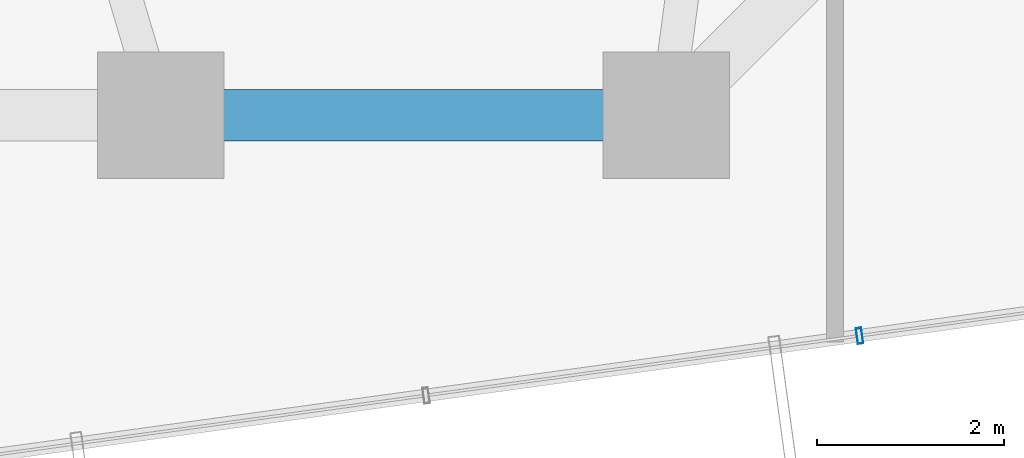
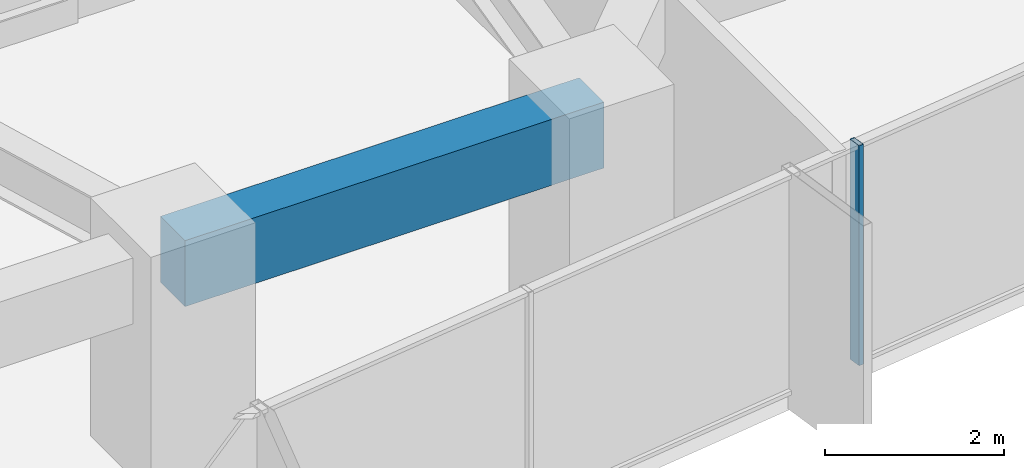
# One storey, part 8 of 37: 1 beam, 1 member, 1 element without a shape of its own.
"""IFC4 building model written with IfcOpenShell, lengths in metres."""

import ifcopenshell
import ifcopenshell.guid

model = None  # the IFC model being written
_history = None  # IfcOwnerHistory: only IFC2X3 demands one
_inside = {}  # id of a spatial element -> (the spatial element, [elements in it])
_under = {}  # id of a project, library or spatial element -> (it, [spatial elements below it])
_declared = {}  # id of a project -> (the project, [libraries it declares])
_typed = {}  # id of a type object -> (the type object, [elements of that type])
_made_of = {}  # id of a material, layer set ... -> (it, [elements and type objects made of it])


def new_model(schema):
    """Start an empty IFC model of exactly this schema.

    Asked for "IFC4X3", IfcOpenShell would pick the latest addendum, in which some entities
    have other attributes; the version numbers below select the first issue.
    IFC2X3 requires an IfcOwnerHistory on every rooted entity: one is made here for all.
    """
    global model, _history
    if schema == "IFC4X3":
        model = ifcopenshell.file(schema_version=(4, 3, 0, 0))
    else:
        model = ifcopenshell.file(schema=schema)
    _inside.clear()
    _under.clear()
    _declared.clear()
    _typed.clear()
    _made_of.clear()
    _history = None
    if model.schema == "IFC2X3":
        org = make("IfcOrganization", Name="unknown")
        user = make(
            "IfcPersonAndOrganization",
            ThePerson=make("IfcPerson", FamilyName="unknown"),
            TheOrganization=org,
        )
        app = make(
            "IfcApplication",
            ApplicationDeveloper=org,
            Version="unknown",
            ApplicationFullName="unknown",
            ApplicationIdentifier="unknown",
        )
        _history = make(
            "IfcOwnerHistory",
            OwningUser=user,
            OwningApplication=app,
            ChangeAction="ADDED",
            CreationDate=0,
        )
    return model


def make(cls, **values):
    """One entity of the class cls with the attributes given. An attribute that is None is left unset."""
    return model.create_entity(
        cls, **{name: value for name, value in values.items() if value is not None}
    )


def rooted(cls, **values):
    """An entity with a GlobalId (a new one), such as an element, a storey or a relation."""
    return make(cls, GlobalId=ifcopenshell.guid.new(), OwnerHistory=_history, **values)


def si_unit(unit_type, name, prefix=None):
    """IfcSIUnit, for example si_unit("LENGTHUNIT", "METRE", prefix="MILLI")."""
    return make("IfcSIUnit", UnitType=unit_type, Prefix=prefix, Name=name)


def assignment(units):
    """IfcUnitAssignment: the units of a project."""
    return None if units is None else make("IfcUnitAssignment", Units=units)


def point(xyz):
    """IfcCartesianPoint."""
    return None if xyz is None else make("IfcCartesianPoint", Coordinates=xyz)


def direction(xyz):
    """IfcDirection."""
    return None if xyz is None else make("IfcDirection", DirectionRatios=xyz)


def frame(location, z_axis=None, x_axis=None):
    """IfcAxis2Placement3D, a coordinate frame: its origin and axes. An axis left out is left unset."""
    return make(
        "IfcAxis2Placement3D",
        Location=point(location),
        Axis=direction(z_axis),
        RefDirection=direction(x_axis),
    )


def frame_2d(location, x_axis=None):
    """IfcAxis2Placement2D, a coordinate frame in the plane: its origin and x axis."""
    return make(
        "IfcAxis2Placement2D", Location=point(location), RefDirection=direction(x_axis)
    )


def origin():
    """The frame at (0, 0, 0) with its axes left unset."""
    return frame((0.0, 0.0, 0.0))


def origin_2d():
    """The frame at (0, 0) in the plane with its x axis left unset."""
    return frame_2d((0.0, 0.0))


def place(relative_to, where):
    """IfcLocalPlacement: puts the frame where relative to a parent placement (None: the world)."""
    return make(
        "IfcLocalPlacement", PlacementRelTo=relative_to, RelativePlacement=where
    )


def context(
    kind, dimensions, precision=None, world=None, true_north=None, identifier=None
):
    """IfcGeometricRepresentationContext, for example the 3D "Model" context."""
    return make(
        "IfcGeometricRepresentationContext",
        ContextIdentifier=identifier,
        ContextType=kind,
        CoordinateSpaceDimension=dimensions,
        Precision=precision,
        WorldCoordinateSystem=world,
        TrueNorth=true_north,
    )


def subcontext(parent, identifier, kind, view, scale=None):
    """IfcGeometricRepresentationSubContext, for example "Body" below "Model"."""
    return make(
        "IfcGeometricRepresentationSubContext",
        ContextIdentifier=identifier,
        ContextType=kind,
        ParentContext=parent,
        TargetScale=scale,
        TargetView=view,
    )


def project(units=None, contexts=None):
    """IfcProject with its units and contexts."""
    return rooted(
        "IfcProject",
        Name="project",
        RepresentationContexts=contexts,
        UnitsInContext=assignment(units),
    )


def spatial(cls, under=None, at=None, **own):
    """A site, building, storey or space (cls), placed at a placement, below another one or the project."""
    s = rooted(cls, ObjectPlacement=at, **own)
    if under is not None:
        _under.setdefault(under.id(), (under, []))[1].append(s)
    return s


def profile(cls, at=None, kind="AREA", **sizes):
    """A parametric profile (cls). Its sizes go by their IFC names, for example OverallWidth=200.0."""
    return make(cls, ProfileType=kind, Position=at, **sizes)


def rectangle(**sizes):
    """IfcRectangleProfileDef."""
    return profile("IfcRectangleProfileDef", **sizes)


def hollow_rectangle(**sizes):
    """IfcRectangleHollowProfileDef."""
    return profile("IfcRectangleHollowProfileDef", **sizes)


def extrude(swept, where, along, depth):
    """IfcExtrudedAreaSolid: the profile swept, set in the frame where, extruded along a direction by depth."""
    return make(
        "IfcExtrudedAreaSolid",
        SweptArea=swept,
        Position=where,
        ExtrudedDirection=direction(along),
        Depth=depth,
    )


def shape(context_of_items, identifier, shape_type, items):
    """IfcShapeRepresentation: the items that make up one representation, for example the "Body"."""
    return make(
        "IfcShapeRepresentation",
        ContextOfItems=context_of_items,
        RepresentationIdentifier=identifier,
        RepresentationType=shape_type,
        Items=items,
    )


def source(mapping_origin, context_of_items, identifier, shape_type, items):
    """IfcRepresentationMap: a shape defined once, which mapped items show again and again."""
    return make(
        "IfcRepresentationMap",
        MappingOrigin=mapping_origin,
        MappedRepresentation=shape(context_of_items, identifier, shape_type, items),
    )


def transform(
    local_origin,
    x_axis=None,
    y_axis=None,
    z_axis=None,
    scale=None,
    scale2=None,
    scale3=None,
    uniform=True,
):
    """IfcCartesianTransformationOperator3D, or its non-uniform kind. x_axis, y_axis, z_axis: its Axis1, 2, 3."""
    if uniform:
        return make(
            "IfcCartesianTransformationOperator3D",
            Axis1=direction(x_axis),
            Axis2=direction(y_axis),
            LocalOrigin=point(local_origin),
            Scale=scale,
            Axis3=direction(z_axis),
        )
    return make(
        "IfcCartesianTransformationOperator3DnonUniform",
        Axis1=direction(x_axis),
        Axis2=direction(y_axis),
        LocalOrigin=point(local_origin),
        Scale=scale,
        Axis3=direction(z_axis),
        Scale2=scale2,
        Scale3=scale3,
    )


def mapped(mapping_source, mapping_target):
    """IfcMappedItem: shows the shape of a source again, moved by a transform."""
    return make(
        "IfcMappedItem", MappingSource=mapping_source, MappingTarget=mapping_target
    )


def material(Name=None, Category=None):
    """IfcMaterial."""
    return make("IfcMaterial", Name=Name, Category=Category)


def layer(
    of_material, thickness, ventilated=None, Name=None, Category=None, Priority=None
):
    """IfcMaterialLayer: one layer of a wall or slab, of a material (None: an air gap)."""
    return make(
        "IfcMaterialLayer",
        Material=of_material,
        LayerThickness=thickness,
        IsVentilated=ventilated,
        Name=Name,
        Category=Category,
        Priority=Priority,
    )


def layer_set(layers, Name=None):
    """IfcMaterialLayerSet."""
    return make("IfcMaterialLayerSet", MaterialLayers=layers, LayerSetName=Name)


def material_profile(
    of_material, cross_section, Name=None, Category=None, Priority=None
):
    """IfcMaterialProfile: a cross section and its material."""
    return make(
        "IfcMaterialProfile",
        Name=Name,
        Material=of_material,
        Profile=cross_section,
        Priority=Priority,
        Category=Category,
    )


def profile_set(profiles, Name=None, composite=None):
    """IfcMaterialProfileSet."""
    return make(
        "IfcMaterialProfileSet",
        Name=Name,
        MaterialProfiles=profiles,
        CompositeProfile=composite,
    )


def made_of(thing, what):
    """Note that an element or type object is made of a material, layer set ...; save() writes the relation."""
    if what is not None:
        _made_of.setdefault(what.id(), (what, []))[1].append(thing)
    return thing


def type_object(cls, material=None, **own):
    """A type object (cls), such as IfcWallType, which elements share."""
    return made_of(rooted(cls, **own), material)


def element(
    cls,
    number,
    at=None,
    inside=None,
    cuts=None,
    type_object=None,
    material=None,
    context=None,
    identifier="Body",
    shape_type=None,
    held_by="IfcProductDefinitionShape",
    body=None,
    shapes=None,
    **own,
):
    """One element of the class cls, such as IfcWall. Its Tag is "e" and its number.

    at: its placement. inside: the storey or other place that contains it. cuts: it is an
    opening in that element (IfcRelVoidsElement). A single representation is given by context,
    identifier, shape_type and body (its items); several are given by shapes. held_by: the class
    of the entity that holds the representations. save() writes the other relations.
    """
    e = rooted(cls, Tag="e%d" % number, ObjectPlacement=at, **own)
    if body is not None:
        shapes = [shape(context, identifier, shape_type, body)]
    if shapes is not None:
        e.Representation = make(held_by, Representations=shapes)
    if inside is not None:
        _inside.setdefault(inside.id(), (inside, []))[1].append(e)
    if cuts is not None:
        rooted(
            "IfcRelVoidsElement", RelatingBuildingElement=cuts, RelatedOpeningElement=e
        )
    if type_object is not None:
        _typed.setdefault(type_object.id(), (type_object, []))[1].append(e)
    return made_of(e, material)


def aggregate(whole, parts):
    """IfcRelAggregates: a whole, such as a stair, and the parts it consists of."""
    return rooted("IfcRelAggregates", RelatingObject=whole, RelatedObjects=parts)


def save(model, path):
    """Write the relations noted so far, then the file.

    IfcRelAggregates (storeys below a building ...), IfcRelContainedInSpatialStructure (elements
    in a storey), IfcRelDefinesByType, IfcRelAssociatesMaterial and IfcRelDeclares: one each for
    every whole, place, type object, material and project.
    """
    for whole, parts in _under.values():
        aggregate(whole, parts)
    for where, things in _inside.values():
        rooted(
            "IfcRelContainedInSpatialStructure",
            RelatedElements=things,
            RelatingStructure=where,
        )
    for kind, things in _typed.values():
        rooted("IfcRelDefinesByType", RelatedObjects=things, RelatingType=kind)
    for what, things in _made_of.values():
        rooted("IfcRelAssociatesMaterial", RelatedObjects=things, RelatingMaterial=what)
    for by, libraries in _declared.values():
        rooted("IfcRelDeclares", RelatingContext=by, RelatedDefinitions=libraries)
    model.write(path)


model = new_model("IFC4")

# Units and contexts
model_context = context("Model", 3, precision=1e-05, world=origin(), true_north=direction((0.0, 1.0)))
body_context = subcontext(model_context, "Body", "Model", "MODEL_VIEW")
ifc_project = project(units=[si_unit("LENGTHUNIT", "METRE"), si_unit("AREAUNIT", "SQUARE_METRE"), si_unit("VOLUMEUNIT", "CUBIC_METRE"), si_unit("PLANEANGLEUNIT", "RADIAN"), si_unit("MASSUNIT", "GRAM", prefix="KILO")], contexts=[model_context])

# Site, building, storey
site_placement = place(None, origin())
site = spatial("IfcSite", under=ifc_project, at=site_placement, CompositionType="ELEMENT")
building_placement = place(site_placement, origin())
building = spatial("IfcBuilding", under=site, at=building_placement, Name="Veraguas Prism Commons", CompositionType="ELEMENT")
storey_placement = place(building_placement, frame((0.0, 0.0, 50.050048828125)))
storey = spatial("IfcBuildingStorey", under=building, at=storey_placement, Name="L13", CompositionType="ELEMENT", Elevation=50.050048828125)

# Beam
ifc_material_1 = material(Name="Concrete C50/60", Category="concrete")
ifc_material_profile_1 = material_profile(ifc_material_1, rectangle(XDim=0.550048828125, YDim=0.89990234375, at=origin_2d()), Name="RC550X900")
ifc_profile_set_1 = profile_set([ifc_material_profile_1], Name="Concrete C50/60")
beam_type = type_object("IfcBeamType", Name="Perimeter Spandrel Lower RC 550x900", PredefinedType="SPANDREL", material=ifc_profile_set_1)
beam_placement = place(storey_placement, frame((24.0, 6.39990234375, 2.550048828125), z_axis=(1.0, 0.0, 0.0), x_axis=(0.0, 1.0, 0.0)))
element("IfcBeam", 1, at=beam_placement, inside=storey, type_object=beam_type, Name="Perimeter Spandrel Beam L13-SP11", PredefinedType="SPANDREL", context=body_context, shape_type="SweptSolid", body=[
    extrude(rectangle(XDim=0.550048828125, YDim=0.89990234375, at=origin_2d()), origin(), (0.0, 0.0, 1.0), 5.39990234375),
])

# Curtain wall, member
ifc_material_2 = material(Name="Anodised aluminium EN AW-6063 T6", Category="aluminium")
ifc_layer = layer(ifc_material_2, 0.169921875, Name="Unitised Flush Curtain Wall Zone 1", Category="aluminium")
ifc_layer_set = layer_set([ifc_layer], Name="Anodised aluminium EN AW-6063 T6")
curtain_wall_type = type_object("IfcCurtainWallType", Name="Unitised Flush Curtain Wall Zone 1", PredefinedType="NOTDEFINED", material=ifc_layer_set)
curtain_wall_placement = place(storey_placement, origin())
curtain_wall = element("IfcCurtainWall", 2, at=curtain_wall_placement, inside=storey, type_object=curtain_wall_type, Name="Tower Facade Curtain Wall L13-F5", PredefinedType="NOTDEFINED")
ifc_material_profile_2 = material_profile(ifc_material_2, hollow_rectangle(XDim=0.06005859375, YDim=0.169921875, WallThickness=0.00390625, at=origin_2d()), Name="AL60X170X4")
ifc_profile_set_2 = profile_set([ifc_material_profile_2], Name="Anodised aluminium EN AW-6063 T6")
member_type = type_object("IfcMemberType", Name="Curtain Wall Mullion Lower AL 60x170x4", PredefinedType="MULLION", material=ifc_profile_set_2)
shared_shape = source(origin(), body_context, "Body", "SweptSolid", [
    extrude(hollow_rectangle(XDim=0.06005859375, YDim=0.169921875, WallThickness=0.00390625, at=origin_2d()), origin(), (0.0, 0.0, 1.0), 3.0),
])
member_placement = place(storey_placement, frame((31.46240234375, 4.046875, 0.0), z_axis=(0.0, 0.0, 1.0), x_axis=(0.99065308977, 0.136405482764, 0.0)))
member = element("IfcMember", 3, at=member_placement, type_object=member_type, Name="CW-Z1 Mullion 4", PredefinedType="MULLION", context=body_context, shape_type="MappedRepresentation", body=[
    mapped(shared_shape, transform((0.0, 0.0, 0.0), scale=1.0)),
])
aggregate(curtain_wall, [member])

save(model, "model.ifc")
